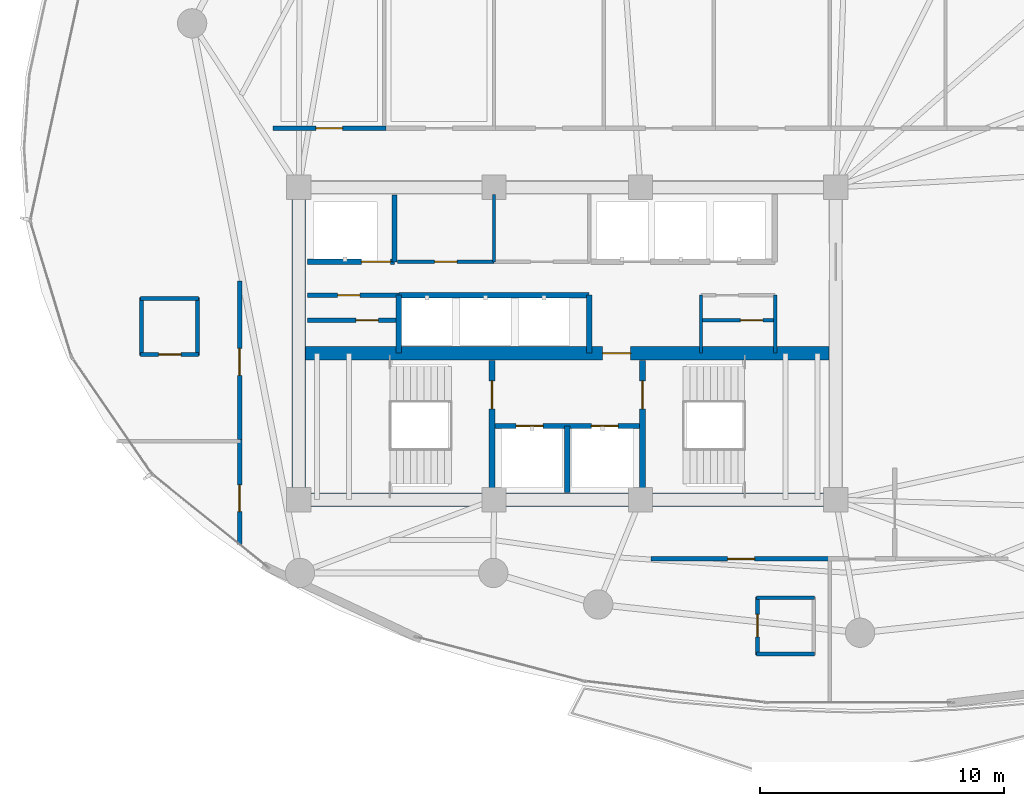
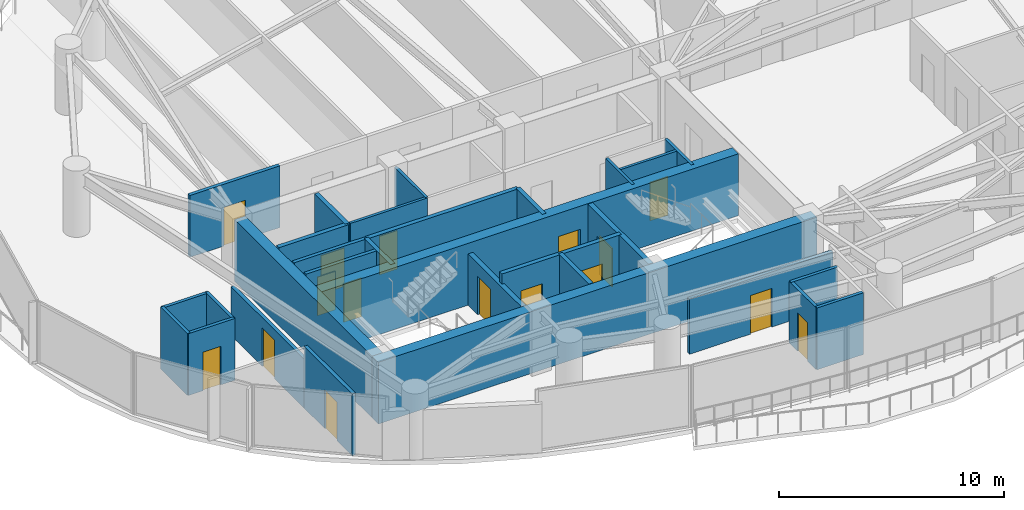
# One storey, part 26 of 34: 30 walls, 16 doors, 16 openings.
"""IFC4 building model written with IfcOpenShell, lengths in metres."""

from ifc_helpers import new_model, si_unit, direction, frame, frame_2d, origin, place, context, subcontext, project, spatial, rectangle, extrude, material, layer, layer_set, type_object, element, fill, save


model = new_model("IFC4")

# Units and contexts
model_context = context("Model", 3, precision=1e-05, world=origin(), true_north=direction((0.0, 1.0)))
body_context = subcontext(model_context, "Body", "Model", "MODEL_VIEW")
ifc_project = project(units=[si_unit("LENGTHUNIT", "METRE"), si_unit("AREAUNIT", "SQUARE_METRE"), si_unit("VOLUMEUNIT", "CUBIC_METRE"), si_unit("PLANEANGLEUNIT", "RADIAN"), si_unit("MASSUNIT", "GRAM", prefix="KILO")], contexts=[model_context])

# Site, building, storey
site_placement = place(None, origin())
site = spatial("IfcSite", under=ifc_project, at=site_placement, CompositionType="ELEMENT")
building_placement = place(site_placement, origin())
building = spatial("IfcBuilding", under=site, at=building_placement, Name="Kazevale Care Tower and Concert Hall", CompositionType="ELEMENT")
storey_placement = place(building_placement, frame((0.0, 0.0, 174.60009765625)))
storey = spatial("IfcBuildingStorey", under=building, at=storey_placement, Name="L46", CompositionType="ELEMENT", Elevation=174.60009765625)

# Wall, opening, door
ifc_material_1 = material(Name="Acoustic Gypsum on Steel Stud", Category="steel")
ifc_layer_1 = layer(ifc_material_1, 0.139892578125)
ifc_layer_set_1 = layer_set([ifc_layer_1], Name="Acoustic Gypsum on Steel Stud")
wall_type_1 = type_object("IfcWallType", Name="Acoustic Care & Suite Partition 140", PredefinedType="PARTITIONING", material=ifc_layer_set_1)
wall_1_placement = place(storey_placement, frame((26.050048828125, 33.35009765625, 0.0), z_axis=(0.0, 0.0, 1.0), x_axis=(1.0, 0.0, 0.0)))
wall_1 = element("IfcWall", 1, at=wall_1_placement, inside=storey, type_object=wall_type_1, Name="wall:L46:c_rpl1_s", PredefinedType="PARTITIONING", context=body_context, shape_type="SweptSolid", body=[
    extrude(rectangle(XDim=3.949951171875, YDim=0.139892578125, at=frame_2d((1.97509765625, 0.0))), origin(), (0.0, 0.0, 1.0), 3.35986328125),
])
opening_1_placement = place(wall_1_placement, frame((1.514892578125, 0.0, 0.0)))
opening_1 = element("IfcOpeningElement", 2, at=opening_1_placement, cuts=wall_1, Name="Opening ID-900", PredefinedType="OPENING", context=body_context, shape_type="SweptSolid", body=[
    extrude(rectangle(XDim=0.919921875, YDim=2.10009765625, at=frame_2d((0.4599609375, 1.050048828125))), frame((0.0, 0.079833984375, 0.0), z_axis=(0.0, -1.0, 0.0), x_axis=(1.0, 0.0, 0.0)), (0.0, 0.0, 1.0), 0.159912109375),
])
ifc_material_2 = material(Name="Oak Timber Fire Leaf", Category="wood")
door_type_1 = type_object("IfcDoorType", Name="Bathroom & Service Door 920x2100", OperationType="NOTDEFINED", PredefinedType="DOOR", material=ifc_material_2)
door_1_placement = place(opening_1_placement, origin())
door_1 = element("IfcDoor", 3, at=door_1_placement, inside=storey, type_object=door_type_1, Name="door:L46:d_rpl1", OperationType="SINGLE_SWING_LEFT", OverallHeight=2.10009765625, OverallWidth=0.919921875, PredefinedType="DOOR", context=body_context, shape_type="SweptSolid", body=[
    extrude(rectangle(XDim=0.919921875, YDim=2.10009765625, at=frame_2d((0.4599609375, 1.050048828125))), frame((0.0, 0.02490234375, 0.0), z_axis=(0.0, -1.0, 0.0), x_axis=(1.0, 0.0, 0.0)), (0.0, 0.0, 1.0), 0.050048828125),
])
fill(opening_1, door_1)

# Walls
wall_2_placement = place(storey_placement, frame((30.0, 33.35009765625, 0.0), z_axis=(0.0, 0.0, 1.0), x_axis=(0.0, 1.0, 0.0)))
element("IfcWall", 4, at=wall_2_placement, inside=storey, type_object=wall_type_1, Name="wall:L46:c_rpl_m", PredefinedType="PARTITIONING", context=body_context, shape_type="SweptSolid", body=[
    extrude(rectangle(XDim=2.75, YDim=0.139892578125, at=frame_2d((1.375, 0.0))), origin(), (0.0, 0.0, 1.0), 3.35986328125),
])
for number, where, z_axis, x_axis, name in (
    (5, (38.47998046875, 29.6201171875, 0.0), (0.0, 0.0, 1.0), (0.0, 1.0, 0.0), "wall:L46:kc_ew"),
    (6, (41.52001953125, 29.6201171875, 0.0), (0.0, 0.0, 1.0), (0.0, 1.0, 0.0), "wall:L46:kc_ee"),
):
    element("IfcWall", number, at=place(storey_placement, frame(where, z_axis=z_axis, x_axis=x_axis)), inside=storey, type_object=wall_type_1, Name=name, PredefinedType="PARTITIONING", context=body_context, shape_type="SweptSolid", body=[
        extrude(rectangle(XDim=2.35986328125, YDim=0.139892578125, at=frame_2d((1.179931640625, 0.0))), origin(), (0.0, 0.0, 1.0), 3.35986328125),
    ])

# Wall, opening, door
wall_3_placement = place(storey_placement, frame((38.47998046875, 30.949951171875, 0.0), z_axis=(0.0, 0.0, 1.0), x_axis=(1.0, 0.0, 0.0)))
wall_3 = element("IfcWall", 7, at=wall_3_placement, inside=storey, type_object=wall_type_1, Name="wall:L46:kc_em", PredefinedType="PARTITIONING", context=body_context, shape_type="SweptSolid", body=[
    extrude(rectangle(XDim=3.0400390625, YDim=0.139892578125, at=frame_2d((1.52001953125, 0.0))), origin(), (0.0, 0.0, 1.0), 3.35986328125),
])
opening_2_placement = place(wall_3_placement, frame((1.616943359375, 0.0, 0.0)))
opening_2 = element("IfcOpeningElement", 8, at=opening_2_placement, cuts=wall_3, Name="Opening ID-900", PredefinedType="OPENING", context=body_context, shape_type="SweptSolid", body=[
    extrude(rectangle(XDim=0.919921875, YDim=2.10009765625, at=frame_2d((0.4599609375, 1.050048828125))), frame((0.0, 0.079833984375, 0.0), z_axis=(0.0, -1.0, 0.0), x_axis=(1.0, 0.0, 0.0)), (0.0, 0.0, 1.0), 0.159912109375),
])
door_2_placement = place(opening_2_placement, origin())
door_2 = element("IfcDoor", 9, at=door_2_placement, inside=storey, type_object=door_type_1, Name="door:L46:d_kceb", OperationType="SINGLE_SWING_RIGHT", OverallHeight=2.10009765625, OverallWidth=0.919921875, PredefinedType="DOOR", context=body_context, shape_type="SweptSolid", body=[
    extrude(rectangle(XDim=0.919921875, YDim=2.10009765625, at=frame_2d((0.4599609375, 1.050048828125))), frame((0.0, 0.02490234375, 0.0), z_axis=(0.0, -1.0, 0.0), x_axis=(1.0, 0.0, 0.0)), (0.0, 0.0, 1.0), 0.050048828125),
])
fill(opening_2, door_2)

# Walls
ifc_material_3 = material(Name="Concrete C60", Category="concrete")
ifc_layer_2 = layer(ifc_material_3, 0.550048828125)
ifc_layer_set_2 = layer_set([ifc_layer_2], Name="Concrete C60")
wall_type_2 = type_object("IfcWallType", Name="Core Shear Wall 550 C60", PredefinedType="SHEAR", material=ifc_layer_set_2)
wall_4_placement = place(storey_placement, frame((21.72509765625, 23.60009765625, 0.0), z_axis=(0.0, 0.0, 1.0), x_axis=(1.0, 0.0, 0.0)))
element("IfcWall", 10, at=wall_4_placement, inside=storey, type_object=wall_type_2, Name="wall:L46:core:S", PredefinedType="SHEAR", context=body_context, shape_type="SweptSolid", body=[
    extrude(rectangle(XDim=22.5498046875, YDim=0.550048828125, at=frame_2d((11.27490234375, 0.0))), origin(), (0.0, 0.0, 1.0), 3.35986328125),
])
wall_5_placement = place(storey_placement, frame((22.0, 23.875, 0.0), z_axis=(0.0, 0.0, 1.0), x_axis=(0.0, 1.0, 0.0)))
element("IfcWall", 11, at=wall_5_placement, inside=storey, type_object=wall_type_2, Name="wall:L46:core:W", PredefinedType="SHEAR", context=body_context, shape_type="SweptSolid", body=[
    extrude(rectangle(XDim=12.25, YDim=0.550048828125, at=frame_2d((6.125, 0.0))), origin(), (0.0, 0.0, 1.0), 3.35986328125),
])

# Wall, opening, door
wall_6_placement = place(storey_placement, frame((22.27490234375, 29.60009765625, 0.0), z_axis=(0.0, 0.0, 1.0), x_axis=(1.0, 0.0, 0.0)))
wall_6 = element("IfcWall", 12, at=wall_6_placement, inside=storey, type_object=wall_type_2, Name="wall:L46:core:M", PredefinedType="SHEAR", context=body_context, shape_type="SweptSolid", body=[
    extrude(rectangle(XDim=21.4501953125, YDim=0.550048828125, at=frame_2d((10.72509765625, 0.0))), origin(), (0.0, 0.0, 1.0), 3.35986328125),
])
opening_3_placement = place(wall_6_placement, frame((12.175048828125, 0.0, 0.0)))
opening_3 = element("IfcOpeningElement", 13, at=opening_3_placement, cuts=wall_6, Name="Opening FD-90", PredefinedType="OPENING", context=body_context, shape_type="SweptSolid", body=[
    extrude(rectangle(XDim=1.14990234375, YDim=2.10009765625, at=frame_2d((0.574951171875, 1.050048828125))), frame((0.0, 0.284912109375, 0.0), z_axis=(0.0, -1.0, 0.0), x_axis=(1.0, 0.0, 0.0)), (0.0, 0.0, 1.0), 0.570068359375),
])
ifc_material_4 = material(Name="Steel ASTM A572 Gr 50", Category="steel")
door_type_2 = type_object("IfcDoorType", Name="Pressurized Stair & Lobby Fire Door 1150x2100", OperationType="NOTDEFINED", PredefinedType="DOOR", material=ifc_material_4)
door_3_placement = place(opening_3_placement, origin())
door_3 = element("IfcDoor", 14, at=door_3_placement, inside=storey, type_object=door_type_2, Name="door:L46:ff_to_pax", OperationType="SINGLE_SWING_LEFT", OverallHeight=2.10009765625, OverallWidth=1.14990234375, PredefinedType="DOOR", context=body_context, shape_type="SweptSolid", body=[
    extrude(rectangle(XDim=1.14990234375, YDim=2.10009765625, at=frame_2d((0.574951171875, 1.050048828125))), frame((0.0, 0.02490234375, 0.0), z_axis=(0.0, -1.0, 0.0), x_axis=(1.0, 0.0, 0.0)), (0.0, 0.0, 1.0), 0.050048828125),
])
fill(opening_3, door_3)

# Wall, openings, doors
ifc_material_5 = material(Name="Concrete C40", Category="concrete")
ifc_layer_3 = layer(ifc_material_5, 0.219970703125)
ifc_layer_set_3 = layer_set([ifc_layer_3], Name="Concrete C40")
wall_type_3 = type_object("IfcWallType", Name="Elevator Hoistway Shaft Wall 220", PredefinedType="SOLIDWALL", material=ifc_layer_set_3)
wall_7_placement = place(storey_placement, frame((29.919921875, 26.6201171875, 0.0), z_axis=(0.0, 0.0, 1.0), x_axis=(1.0, 0.0, 0.0)))
wall_7 = element("IfcWall", 15, at=wall_7_placement, inside=storey, type_object=wall_type_3, Name="wall:L46:c_ffl_n", PredefinedType="SOLIDWALL", context=body_context, shape_type="SweptSolid", body=[
    extrude(rectangle(XDim=6.16015625, YDim=0.219970703125, at=frame_2d((3.080078125, 0.0))), origin(), (0.0, 0.0, 1.0), 3.35986328125),
])
opening_4_placement = place(wall_7_placement, frame((0.989990234375, 0.0, 0.0)))
opening_4 = element("IfcOpeningElement", 16, at=opening_4_placement, cuts=wall_7, Name="Opening LD-FF", PredefinedType="OPENING", context=body_context, shape_type="SweptSolid", body=[
    extrude(rectangle(XDim=1.10009765625, YDim=2.10009765625, at=frame_2d((0.550048828125, 1.050048828125))), frame((0.0, 0.119873046875, 0.0), z_axis=(0.0, -1.0, 0.0), x_axis=(1.0, 0.0, 0.0)), (0.0, 0.0, 1.0), 0.239990234375),
])
opening_5_placement = place(wall_7_placement, frame((4.070068359375, 0.0, 0.0)))
opening_5 = element("IfcOpeningElement", 17, at=opening_5_placement, cuts=wall_7, Name="Opening LD-FF", PredefinedType="OPENING", context=body_context, shape_type="SweptSolid", body=[
    extrude(rectangle(XDim=1.10009765625, YDim=2.10009765625, at=frame_2d((0.550048828125, 1.050048828125))), frame((0.0, 0.119873046875, 0.0), z_axis=(0.0, -1.0, 0.0), x_axis=(1.0, 0.0, 0.0)), (0.0, 0.0, 1.0), 0.239990234375),
])
ifc_material_6 = material(Name="Stainless Steel 316", Category="steel")
door_type_3 = type_object("IfcDoorType", Name="Emergency Lift Sliding Landing Door 1100x2100", OperationType="NOTDEFINED", PredefinedType="DOOR", material=ifc_material_6)
door_4_placement = place(opening_4_placement, origin())
door_4 = element("IfcDoor", 18, at=door_4_placement, inside=storey, type_object=door_type_3, Name="door:L46:ld_ffl1", OperationType="SLIDING_TO_LEFT", OverallHeight=2.10009765625, OverallWidth=1.10009765625, PredefinedType="DOOR", context=body_context, shape_type="SweptSolid", body=[
    extrude(rectangle(XDim=1.10009765625, YDim=2.10009765625, at=frame_2d((0.550048828125, 1.050048828125))), frame((0.0, 0.02490234375, 0.0), z_axis=(0.0, -1.0, 0.0), x_axis=(1.0, 0.0, 0.0)), (0.0, 0.0, 1.0), 0.050048828125),
])
fill(opening_4, door_4)
door_5_placement = place(opening_5_placement, origin())
door_5 = element("IfcDoor", 19, at=door_5_placement, inside=storey, type_object=door_type_3, Name="door:L46:ld_ffl2", OperationType="SLIDING_TO_RIGHT", OverallHeight=2.10009765625, OverallWidth=1.10009765625, PredefinedType="DOOR", context=body_context, shape_type="SweptSolid", body=[
    extrude(rectangle(XDim=1.10009765625, YDim=2.10009765625, at=frame_2d((0.550048828125, 1.050048828125))), frame((0.0, 0.02490234375, 0.0), z_axis=(0.0, -1.0, 0.0), x_axis=(1.0, 0.0, 0.0)), (0.0, 0.0, 1.0), 0.050048828125),
])
fill(opening_5, door_5)

# Walls
wall_8_placement = place(storey_placement, frame((33.0, 23.89990234375, 0.0), z_axis=(0.0, 0.0, 1.0), x_axis=(0.0, 1.0, 0.0)))
element("IfcWall", 20, at=wall_8_placement, inside=storey, type_object=wall_type_3, Name="wall:L46:c_ffl_m", PredefinedType="SOLIDWALL", context=body_context, shape_type="SweptSolid", body=[
    extrude(rectangle(XDim=2.72021484375, YDim=0.219970703125, at=frame_2d((1.360107421875, 0.0))), origin(), (0.0, 0.0, 1.0), 3.35986328125),
])
wall_9_placement = place(storey_placement, frame((25.919921875, 33.35009765625, 0.0), z_axis=(0.0, 0.0, 1.0), x_axis=(0.0, 1.0, 0.0)))
element("IfcWall", 21, at=wall_9_placement, inside=storey, type_object=wall_type_3, Name="wall:L46:c_svl_e", PredefinedType="SOLIDWALL", context=body_context, shape_type="SweptSolid", body=[
    extrude(rectangle(XDim=2.72998046875, YDim=0.219970703125, at=frame_2d((1.364990234375, 0.0))), origin(), (0.0, 0.0, 1.0), 3.35986328125),
])

# Wall, opening, door
wall_10_placement = place(storey_placement, frame((22.35009765625, 33.35009765625, 0.0), z_axis=(0.0, 0.0, 1.0), x_axis=(1.0, 0.0, 0.0)))
wall_10 = element("IfcWall", 22, at=wall_10_placement, inside=storey, type_object=wall_type_3, Name="wall:L46:c_svl_s", PredefinedType="SOLIDWALL", context=body_context, shape_type="SweptSolid", body=[
    extrude(rectangle(XDim=3.56982421875, YDim=0.219970703125, at=frame_2d((1.784912109375, 0.0))), origin(), (0.0, 0.0, 1.0), 3.35986328125),
])
opening_6_placement = place(wall_10_placement, frame((2.212890625, 0.0, 0.0)))
opening_6 = element("IfcOpeningElement", 23, at=opening_6_placement, cuts=wall_10, Name="Opening LD-SV", PredefinedType="OPENING", context=body_context, shape_type="SweptSolid", body=[
    extrude(rectangle(XDim=1.199951171875, YDim=2.10009765625, at=frame_2d((0.60009765625, 1.050048828125))), frame((0.0, 0.119873046875, 0.0), z_axis=(0.0, -1.0, 0.0), x_axis=(1.0, 0.0, 0.0)), (0.0, 0.0, 1.0), 0.239990234375),
])
door_type_4 = type_object("IfcDoorType", Name="Service Lift Sliding Landing Door 1200x2100", OperationType="NOTDEFINED", PredefinedType="DOOR", material=ifc_material_6)
door_6_placement = place(opening_6_placement, origin())
door_6 = element("IfcDoor", 24, at=door_6_placement, inside=storey, type_object=door_type_4, Name="door:L46:ld_svl1", OperationType="SLIDING_TO_LEFT", OverallHeight=2.10009765625, OverallWidth=1.199951171875, PredefinedType="DOOR", context=body_context, shape_type="SweptSolid", body=[
    extrude(rectangle(XDim=1.199951171875, YDim=2.10009765625, at=frame_2d((0.60009765625, 1.050048828125))), frame((0.0, 0.02490234375, 0.0), z_axis=(0.0, -1.0, 0.0), x_axis=(1.0, 0.0, 0.0)), (0.0, 0.0, 1.0), 0.050048828125),
])
fill(opening_6, door_6)

# Walls
wall_11_placement = place(storey_placement, frame((26.10009765625, 29.6201171875, 0.0), z_axis=(0.0, 0.0, 1.0), x_axis=(0.0, 1.0, 0.0)))
element("IfcWall", 25, at=wall_11_placement, inside=storey, type_object=wall_type_3, Name="wall:L46:c_ph_w", PredefinedType="SOLIDWALL", context=body_context, shape_type="SweptSolid", body=[
    extrude(rectangle(XDim=2.35986328125, YDim=0.219970703125, at=frame_2d((1.179931640625, 0.0))), origin(), (0.0, 0.0, 1.0), 3.35986328125),
])
wall_12_placement = place(storey_placement, frame((26.10009765625, 31.97998046875, 0.0), z_axis=(0.0, 0.0, 1.0), x_axis=(1.0, 0.0, 0.0)))
element("IfcWall", 26, at=wall_12_placement, inside=storey, type_object=wall_type_3, Name="wall:L46:c_ph_n", PredefinedType="SOLIDWALL", context=body_context, shape_type="SweptSolid", body=[
    extrude(rectangle(XDim=7.7998046875, YDim=0.219970703125, at=frame_2d((3.89990234375, 0.0))), origin(), (0.0, 0.0, 1.0), 3.35986328125),
])
wall_13_placement = place(storey_placement, frame((33.89990234375, 29.6201171875, 0.0), z_axis=(0.0, 0.0, 1.0), x_axis=(0.0, 1.0, 0.0)))
element("IfcWall", 27, at=wall_13_placement, inside=storey, type_object=wall_type_3, Name="wall:L46:c_ph_e", PredefinedType="SOLIDWALL", context=body_context, shape_type="SweptSolid", body=[
    extrude(rectangle(XDim=2.35986328125, YDim=0.219970703125, at=frame_2d((1.179931640625, 0.0))), origin(), (0.0, 0.0, 1.0), 3.35986328125),
])

# Wall, opening, door
ifc_material_7 = material(Name="Concrete C40 and Acoustic Gypsum", Category="concrete")
ifc_layer_4 = layer(ifc_material_7, 0.179931640625)
ifc_layer_set_4 = layer_set([ifc_layer_4], Name="Concrete C40 and Acoustic Gypsum")
wall_type_4 = type_object("IfcWallType", Name="Fire-Rated Corridor & Party Wall 180", PredefinedType="PARTITIONING", material=ifc_layer_set_4)
wall_14_placement = place(storey_placement, frame((22.35009765625, 30.949951171875, 0.0), z_axis=(0.0, 0.0, 1.0), x_axis=(1.0, 0.0, 0.0)))
wall_14 = element("IfcWall", 28, at=wall_14_placement, inside=storey, type_object=wall_type_4, Name="wall:L46:kc_wm", PredefinedType="PARTITIONING", context=body_context, shape_type="SweptSolid", body=[
    extrude(rectangle(XDim=3.75, YDim=0.179931640625, at=frame_2d((1.875, 0.0))), origin(), (0.0, 0.0, 1.0), 3.35986328125),
])
opening_7_placement = place(wall_14_placement, frame((1.988037109375, 0.0, 0.0)))
opening_7 = element("IfcOpeningElement", 29, at=opening_7_placement, cuts=wall_14, Name="Opening ID-900", PredefinedType="OPENING", context=body_context, shape_type="SweptSolid", body=[
    extrude(rectangle(XDim=0.919921875, YDim=2.10009765625, at=frame_2d((0.4599609375, 1.050048828125))), frame((0.0, 0.099853515625, 0.0), z_axis=(0.0, -1.0, 0.0), x_axis=(1.0, 0.0, 0.0)), (0.0, 0.0, 1.0), 0.199951171875),
])
door_7_placement = place(opening_7_placement, origin())
door_7 = element("IfcDoor", 30, at=door_7_placement, inside=storey, type_object=door_type_1, Name="door:L46:d_kcwb", OperationType="SINGLE_SWING_RIGHT", OverallHeight=2.10009765625, OverallWidth=0.919921875, PredefinedType="DOOR", context=body_context, shape_type="SweptSolid", body=[
    extrude(rectangle(XDim=0.919921875, YDim=2.10009765625, at=frame_2d((0.4599609375, 1.050048828125))), frame((0.0, 0.02490234375, 0.0), z_axis=(0.0, -1.0, 0.0), x_axis=(1.0, 0.0, 0.0)), (0.0, 0.0, 1.0), 0.050048828125),
])
fill(opening_7, door_7)

wall_15_placement = place(storey_placement, frame((22.35009765625, 31.97998046875, 0.0), z_axis=(0.0, 0.0, 1.0), x_axis=(1.0, 0.0, 0.0)))
wall_15 = element("IfcWall", 31, at=wall_15_placement, inside=storey, type_object=wall_type_4, Name="wall:L46:kc_wn", PredefinedType="PARTITIONING", context=body_context, shape_type="SweptSolid", body=[
    extrude(rectangle(XDim=3.75, YDim=0.179931640625, at=frame_2d((1.875, 0.0))), origin(), (0.0, 0.0, 1.0), 3.35986328125),
])
opening_8_placement = place(wall_15_placement, frame((1.238037109375, 0.0, 0.0)))
opening_8 = element("IfcOpeningElement", 32, at=opening_8_placement, cuts=wall_15, Name="Opening ID-900", PredefinedType="OPENING", context=body_context, shape_type="SweptSolid", body=[
    extrude(rectangle(XDim=0.919921875, YDim=2.10009765625, at=frame_2d((0.4599609375, 1.050048828125))), frame((0.0, 0.099853515625, 0.0), z_axis=(0.0, -1.0, 0.0), x_axis=(1.0, 0.0, 0.0)), (0.0, 0.0, 1.0), 0.199951171875),
])
door_8_placement = place(opening_8_placement, origin())
door_8 = element("IfcDoor", 33, at=door_8_placement, inside=storey, type_object=door_type_1, Name="door:L46:d_kcwt", OperationType="SINGLE_SWING_LEFT", OverallHeight=2.10009765625, OverallWidth=0.919921875, PredefinedType="DOOR", context=body_context, shape_type="SweptSolid", body=[
    extrude(rectangle(XDim=0.919921875, YDim=2.10009765625, at=frame_2d((0.4599609375, 1.050048828125))), frame((0.0, 0.02490234375, 0.0), z_axis=(0.0, -1.0, 0.0), x_axis=(1.0, 0.0, 0.0)), (0.0, 0.0, 1.0), 0.050048828125),
])
fill(opening_8, door_8)

wall_16_placement = place(storey_placement, frame((20.93505859375, 38.824951171875, 0.0), z_axis=(0.0, 0.0, 1.0), x_axis=(1.0, 0.0, 0.0)))
wall_16 = element("IfcWall", 34, at=wall_16_placement, inside=storey, type_object=wall_type_4, Name="wall:L46:auto_001", PredefinedType="PARTITIONING", context=body_context, shape_type="SweptSolid", body=[
    extrude(rectangle(XDim=4.6298828125, YDim=0.179931640625, at=frame_2d((2.31494140625, 0.0))), origin(), (0.0, 0.0, 1.0), 3.35986328125),
])
opening_9_placement = place(wall_16_placement, frame((1.764892578125, 0.0, 0.0)))
opening_9 = element("IfcOpeningElement", 35, at=opening_9_placement, cuts=wall_16, Name="Opening ID-1100", PredefinedType="OPENING", context=body_context, shape_type="SweptSolid", body=[
    extrude(rectangle(XDim=1.10009765625, YDim=2.10009765625, at=frame_2d((0.550048828125, 1.050048828125))), frame((0.0, 0.099853515625, 0.0), z_axis=(0.0, -1.0, 0.0), x_axis=(1.0, 0.0, 0.0)), (0.0, 0.0, 1.0), 0.199951171875),
])
door_type_5 = type_object("IfcDoorType", Name="Care Bedroom Accessible Door 1100x2100", OperationType="NOTDEFINED", PredefinedType="DOOR", material=ifc_material_2)
door_9_placement = place(opening_9_placement, origin())
door_9 = element("IfcDoor", 36, at=door_9_placement, inside=storey, type_object=door_type_5, Name="door:L46:ad_001", OperationType="SINGLE_SWING_LEFT", OverallHeight=2.10009765625, OverallWidth=1.10009765625, PredefinedType="DOOR", context=body_context, shape_type="SweptSolid", body=[
    extrude(rectangle(XDim=1.10009765625, YDim=2.10009765625, at=frame_2d((0.550048828125, 1.050048828125))), frame((0.0, 0.02490234375, 0.0), z_axis=(0.0, -1.0, 0.0), x_axis=(1.0, 0.0, 0.0)), (0.0, 0.0, 1.0), 0.050048828125),
])
fill(opening_9, door_9)

wall_17_placement = place(storey_placement, frame((43.81494140625, 21.175048828125, 0.0), z_axis=(0.0, 0.0, 1.0), x_axis=(-1.0, 0.0, 0.0)))
wall_17 = element("IfcWall", 37, at=wall_17_placement, inside=storey, type_object=wall_type_4, Name="wall:L46:auto_017", PredefinedType="PARTITIONING", context=body_context, shape_type="SweptSolid", body=[
    extrude(rectangle(XDim=7.3798828125, YDim=0.179931640625, at=frame_2d((3.68994140625, 0.0))), origin(), (0.0, 0.0, 1.0), 2.995849609375),
])
opening_10_placement = place(wall_17_placement, frame((3.139892578125, 0.0, 0.0)))
opening_10 = element("IfcOpeningElement", 38, at=opening_10_placement, cuts=wall_17, Name="Opening ID-1100", PredefinedType="OPENING", context=body_context, shape_type="SweptSolid", body=[
    extrude(rectangle(XDim=1.10009765625, YDim=2.10009765625, at=frame_2d((0.550048828125, 1.050048828125))), frame((0.0, 0.099853515625, 0.0), z_axis=(0.0, -1.0, 0.0), x_axis=(1.0, 0.0, 0.0)), (0.0, 0.0, 1.0), 0.199951171875),
])
door_10_placement = place(opening_10_placement, origin())
door_10 = element("IfcDoor", 39, at=door_10_placement, inside=storey, type_object=door_type_5, Name="door:L46:ad_017", OperationType="SINGLE_SWING_LEFT", OverallHeight=2.10009765625, OverallWidth=1.10009765625, PredefinedType="DOOR", context=body_context, shape_type="SweptSolid", body=[
    extrude(rectangle(XDim=1.10009765625, YDim=2.10009765625, at=frame_2d((0.550048828125, 1.050048828125))), frame((0.0, 0.02490234375, 0.0), z_axis=(0.0, -1.0, 0.0), x_axis=(1.0, 0.0, 0.0)), (0.0, 0.0, 1.0), 0.050048828125),
])
fill(opening_10, door_10)

wall_18_placement = place(storey_placement, frame((19.574951171875, 21.774658203125, 0.0), z_axis=(0.0, 0.0, 1.0), x_axis=(0.0, 1.0, 0.0)))
wall_18 = element("IfcWall", 40, at=wall_18_placement, inside=storey, type_object=wall_type_4, Name="wall:L46:auto_019", PredefinedType="PARTITIONING", context=body_context, shape_type="SweptSolid", body=[
    extrude(rectangle(XDim=4.290283203125, YDim=0.179931640625, at=frame_2d((2.14501953125, 0.0))), origin(), (0.0, 0.0, 1.0), 3.35986328125),
])
opening_11_placement = place(wall_18_placement, frame((1.337890625, 0.0, 0.0)))
opening_11 = element("IfcOpeningElement", 41, at=opening_11_placement, cuts=wall_18, Name="Opening ID-1100", PredefinedType="OPENING", context=body_context, shape_type="SweptSolid", body=[
    extrude(rectangle(XDim=1.10009765625, YDim=2.10009765625, at=frame_2d((0.550048828125, 1.050048828125))), frame((0.0, 0.099853515625, 0.0), z_axis=(0.0, -1.0, 0.0), x_axis=(1.0, 0.0, 0.0)), (0.0, 0.0, 1.0), 0.199951171875),
])
door_11_placement = place(opening_11_placement, origin())
door_11 = element("IfcDoor", 42, at=door_11_placement, inside=storey, type_object=door_type_5, Name="door:L46:ad_019", OperationType="SINGLE_SWING_LEFT", OverallHeight=2.10009765625, OverallWidth=1.10009765625, PredefinedType="DOOR", context=body_context, shape_type="SweptSolid", body=[
    extrude(rectangle(XDim=1.10009765625, YDim=2.10009765625, at=frame_2d((0.550048828125, 1.050048828125))), frame((0.0, 0.02490234375, 0.0), z_axis=(0.0, -1.0, 0.0), x_axis=(1.0, 0.0, 0.0)), (0.0, 0.0, 1.0), 0.050048828125),
])
fill(opening_11, door_11)

wall_19_placement = place(storey_placement, frame((19.574951171875, 25.93505859375, 0.0), z_axis=(0.0, 0.0, 1.0), x_axis=(0.0, 1.0, 0.0)))
wall_19 = element("IfcWall", 43, at=wall_19_placement, inside=storey, type_object=wall_type_4, Name="wall:L46:auto_020", PredefinedType="PARTITIONING", context=body_context, shape_type="SweptSolid", body=[
    extrude(rectangle(XDim=6.6298828125, YDim=0.179931640625, at=frame_2d((3.31494140625, 0.0))), origin(), (0.0, 0.0, 1.0), 2.656982421875),
])
opening_12_placement = place(wall_19_placement, frame((2.764892578125, 0.0, 0.0)))
opening_12 = element("IfcOpeningElement", 44, at=opening_12_placement, cuts=wall_19, Name="Opening ID-1100", PredefinedType="OPENING", context=body_context, shape_type="SweptSolid", body=[
    extrude(rectangle(XDim=1.10009765625, YDim=2.10009765625, at=frame_2d((0.550048828125, 1.050048828125))), frame((0.0, 0.099853515625, 0.0), z_axis=(0.0, -1.0, 0.0), x_axis=(1.0, 0.0, 0.0)), (0.0, 0.0, 1.0), 0.199951171875),
])
door_12_placement = place(opening_12_placement, origin())
door_12 = element("IfcDoor", 45, at=door_12_placement, inside=storey, type_object=door_type_5, Name="door:L46:ad_020", OperationType="SINGLE_SWING_LEFT", OverallHeight=2.10009765625, OverallWidth=1.10009765625, PredefinedType="DOOR", context=body_context, shape_type="SweptSolid", body=[
    extrude(rectangle(XDim=1.10009765625, YDim=2.10009765625, at=frame_2d((0.550048828125, 1.050048828125))), frame((0.0, 0.02490234375, 0.0), z_axis=(0.0, -1.0, 0.0), x_axis=(1.0, 0.0, 0.0)), (0.0, 0.0, 1.0), 0.050048828125),
])
fill(opening_12, door_12)

# Walls
ifc_layer_5 = layer(ifc_material_1, 0.159912109375)
ifc_layer_set_5 = layer_set([ifc_layer_5], Name="Acoustic Gypsum on Steel Stud")
wall_type_5 = type_object("IfcWallType", Name="Moisture-Resistant Bathroom Plumbing Wall 160", PredefinedType="PLUMBINGWALL", material=ifc_layer_set_5)
for number, where, z_axis, x_axis, name in (
    (46, (40.760009765625, 17.281982421875, 0.0), (0.0, 0.0, 1.0), (1.0, 0.0, 0.0), "wall:L46:sb2a_ens_ws"),
    (47, (40.760009765625, 19.58203125, 0.0), (0.0, 0.0, 1.0), (1.0, 0.0, 0.0), "wall:L46:sb2a_ens_wn"),
):
    element("IfcWall", number, at=place(storey_placement, frame(where, z_axis=z_axis, x_axis=x_axis)), inside=storey, type_object=wall_type_5, Name=name, PredefinedType="PLUMBINGWALL", context=body_context, shape_type="SweptSolid", body=[
        extrude(rectangle(XDim=2.3798828125, YDim=0.159912109375, at=frame_2d((1.18994140625, 0.0))), origin(), (0.0, 0.0, 1.0), 3.35986328125),
    ])

# Wall, opening, door
wall_20_placement = place(storey_placement, frame((40.800048828125, 17.241943359375, 0.0), z_axis=(0.0, 0.0, 1.0), x_axis=(0.0, 1.0, 0.0)))
wall_20 = element("IfcWall", 48, at=wall_20_placement, inside=storey, type_object=wall_type_5, Name="wall:L46:sb2a_ens_ww", PredefinedType="PLUMBINGWALL", context=body_context, shape_type="SweptSolid", body=[
    extrude(rectangle(XDim=2.380126953125, YDim=0.159912109375, at=frame_2d((1.18994140625, 0.0))), origin(), (0.0, 0.0, 1.0), 3.35986328125),
])
opening_13_placement = place(wall_20_placement, frame((0.739990234375, 0.0, 0.0)))
opening_13 = element("IfcOpeningElement", 49, at=opening_13_placement, cuts=wall_20, Name="Opening ID-900", PredefinedType="OPENING", context=body_context, shape_type="SweptSolid", body=[
    extrude(rectangle(XDim=0.919921875, YDim=2.10009765625, at=frame_2d((0.4599609375, 1.050048828125))), frame((0.0, 0.08984375, 0.0), z_axis=(0.0, -1.0, 0.0), x_axis=(1.0, 0.0, 0.0)), (0.0, 0.0, 1.0), 0.179931640625),
])
door_13_placement = place(opening_13_placement, origin())
door_13 = element("IfcDoor", 50, at=door_13_placement, inside=storey, type_object=door_type_1, Name="door:L46:sb2a_ens_d", OperationType="SINGLE_SWING_RIGHT", OverallHeight=2.10009765625, OverallWidth=0.919921875, PredefinedType="DOOR", context=body_context, shape_type="SweptSolid", body=[
    extrude(rectangle(XDim=0.919921875, YDim=2.10009765625, at=frame_2d((0.4599609375, 1.050048828125))), frame((0.0, 0.02490234375, 0.0), z_axis=(0.0, -1.0, 0.0), x_axis=(1.0, 0.0, 0.0)), (0.0, 0.0, 1.0), 0.050048828125),
])
fill(opening_13, door_13)

wall_21_placement = place(storey_placement, frame((15.514892578125, 29.550048828125, 0.0), z_axis=(0.0, 0.0, 1.0), x_axis=(1.0, 0.0, 0.0)))
wall_21 = element("IfcWall", 51, at=wall_21_placement, inside=storey, type_object=wall_type_5, Name="wall:L46:wb2_ens_ws", PredefinedType="PLUMBINGWALL", context=body_context, shape_type="SweptSolid", body=[
    extrude(rectangle(XDim=2.380126953125, YDim=0.159912109375, at=frame_2d((1.18994140625, 0.0))), origin(), (0.0, 0.0, 1.0), 3.35986328125),
])
opening_14_placement = place(wall_21_placement, frame((0.739990234375, 0.0, 0.0)))
opening_14 = element("IfcOpeningElement", 52, at=opening_14_placement, cuts=wall_21, Name="Opening ID-900", PredefinedType="OPENING", context=body_context, shape_type="SweptSolid", body=[
    extrude(rectangle(XDim=0.919921875, YDim=2.10009765625, at=frame_2d((0.4599609375, 1.050048828125))), frame((0.0, 0.08984375, 0.0), z_axis=(0.0, -1.0, 0.0), x_axis=(1.0, 0.0, 0.0)), (0.0, 0.0, 1.0), 0.179931640625),
])
door_14_placement = place(opening_14_placement, origin())
door_14 = element("IfcDoor", 53, at=door_14_placement, inside=storey, type_object=door_type_1, Name="door:L46:wb2_ens_d", OperationType="SINGLE_SWING_RIGHT", OverallHeight=2.10009765625, OverallWidth=0.919921875, PredefinedType="DOOR", context=body_context, shape_type="SweptSolid", body=[
    extrude(rectangle(XDim=0.919921875, YDim=2.10009765625, at=frame_2d((0.4599609375, 1.050048828125))), frame((0.0, 0.02490234375, 0.0), z_axis=(0.0, -1.0, 0.0), x_axis=(1.0, 0.0, 0.0)), (0.0, 0.0, 1.0), 0.050048828125),
])
fill(opening_14, door_14)

# Walls
wall_22_placement = place(storey_placement, frame((15.514892578125, 31.85009765625, 0.0), z_axis=(0.0, 0.0, 1.0), x_axis=(1.0, 0.0, 0.0)))
element("IfcWall", 54, at=wall_22_placement, inside=storey, type_object=wall_type_5, Name="wall:L46:wb2_ens_wn", PredefinedType="PLUMBINGWALL", context=body_context, shape_type="SweptSolid", body=[
    extrude(rectangle(XDim=2.380126953125, YDim=0.159912109375, at=frame_2d((1.18994140625, 0.0))), origin(), (0.0, 0.0, 1.0), 3.35986328125),
])
for number, where, z_axis, x_axis, name in (
    (55, (15.554931640625, 29.510009765625, 0.0), (0.0, 0.0, 1.0), (0.0, 1.0, 0.0), "wall:L46:wb2_ens_ww"),
    (56, (17.85498046875, 29.510009765625, 0.0), (0.0, 0.0, 1.0), (0.0, 1.0, 0.0), "wall:L46:wb2_ens_we"),
):
    element("IfcWall", number, at=place(storey_placement, frame(where, z_axis=z_axis, x_axis=x_axis)), inside=storey, type_object=wall_type_5, Name=name, PredefinedType="PLUMBINGWALL", context=body_context, shape_type="SweptSolid", body=[
        extrude(rectangle(XDim=2.3798828125, YDim=0.159912109375, at=frame_2d((1.18994140625, 0.0))), origin(), (0.0, 0.0, 1.0), 3.35986328125),
    ])

# Wall, opening, door
ifc_layer_6 = layer(ifc_material_5, 0.25)
ifc_layer_set_6 = layer_set([ifc_layer_6], Name="Concrete C40")
wall_type_6 = type_object("IfcWallType", Name="Pressurized Stair Shaft Wall 250", PredefinedType="SOLIDWALL", material=ifc_layer_set_6)
wall_23_placement = place(storey_placement, frame((29.919921875, 23.89990234375, 0.0), z_axis=(0.0, 0.0, 1.0), x_axis=(0.0, 1.0, 0.0)))
wall_23 = element("IfcWall", 57, at=wall_23_placement, inside=storey, type_object=wall_type_6, Name="wall:L46:c_st1_e", PredefinedType="SOLIDWALL", context=body_context, shape_type="SweptSolid", body=[
    extrude(rectangle(XDim=5.400146484375, YDim=0.25, at=frame_2d((2.7001953125, 0.0))), origin(), (0.0, 0.0, 1.0), 2.805908203125),
])
opening_15_placement = place(wall_23_placement, frame((3.4208984375, 0.0, 0.0)))
opening_15 = element("IfcOpeningElement", 58, at=opening_15_placement, cuts=wall_23, Name="Opening FD-90", PredefinedType="OPENING", context=body_context, shape_type="SweptSolid", body=[
    extrude(rectangle(XDim=1.14990234375, YDim=2.10009765625, at=frame_2d((0.574951171875, 1.050048828125))), frame((0.0, 0.135009765625, 0.0), z_axis=(0.0, -1.0, 0.0), x_axis=(1.0, 0.0, 0.0)), (0.0, 0.0, 1.0), 0.27001953125),
])
door_15_placement = place(opening_15_placement, origin())
door_15 = element("IfcDoor", 59, at=door_15_placement, inside=storey, type_object=door_type_2, Name="door:L46:st1", OperationType="SINGLE_SWING_RIGHT", OverallHeight=2.10009765625, OverallWidth=1.14990234375, PredefinedType="DOOR", context=body_context, shape_type="SweptSolid", body=[
    extrude(rectangle(XDim=1.14990234375, YDim=2.10009765625, at=frame_2d((0.574951171875, 1.050048828125))), frame((0.0, 0.02490234375, 0.0), z_axis=(0.0, -1.0, 0.0), x_axis=(1.0, 0.0, 0.0)), (0.0, 0.0, 1.0), 0.050048828125),
])
fill(opening_15, door_15)

wall_24_placement = place(storey_placement, frame((36.080078125, 23.89990234375, 0.0), z_axis=(0.0, 0.0, 1.0), x_axis=(0.0, 1.0, 0.0)))
wall_24 = element("IfcWall", 60, at=wall_24_placement, inside=storey, type_object=wall_type_6, Name="wall:L46:c_st2_w", PredefinedType="SOLIDWALL", context=body_context, shape_type="SweptSolid", body=[
    extrude(rectangle(XDim=5.400146484375, YDim=0.25, at=frame_2d((2.7001953125, 0.0))), origin(), (0.0, 0.0, 1.0), 3.35986328125),
])
opening_16_placement = place(wall_24_placement, frame((3.4208984375, 0.0, 0.0)))
opening_16 = element("IfcOpeningElement", 61, at=opening_16_placement, cuts=wall_24, Name="Opening FD-90", PredefinedType="OPENING", context=body_context, shape_type="SweptSolid", body=[
    extrude(rectangle(XDim=1.14990234375, YDim=2.10009765625, at=frame_2d((0.574951171875, 1.050048828125))), frame((0.0, 0.135009765625, 0.0), z_axis=(0.0, -1.0, 0.0), x_axis=(1.0, 0.0, 0.0)), (0.0, 0.0, 1.0), 0.27001953125),
])
door_16_placement = place(opening_16_placement, origin())
door_16 = element("IfcDoor", 62, at=door_16_placement, inside=storey, type_object=door_type_2, Name="door:L46:st2", OperationType="SINGLE_SWING_LEFT", OverallHeight=2.10009765625, OverallWidth=1.14990234375, PredefinedType="DOOR", context=body_context, shape_type="SweptSolid", body=[
    extrude(rectangle(XDim=1.14990234375, YDim=2.10009765625, at=frame_2d((0.574951171875, 1.050048828125))), frame((0.0, 0.02490234375, 0.0), z_axis=(0.0, -1.0, 0.0), x_axis=(1.0, 0.0, 0.0)), (0.0, 0.0, 1.0), 0.050048828125),
])
fill(opening_16, door_16)

save(model, "model.ifc")
